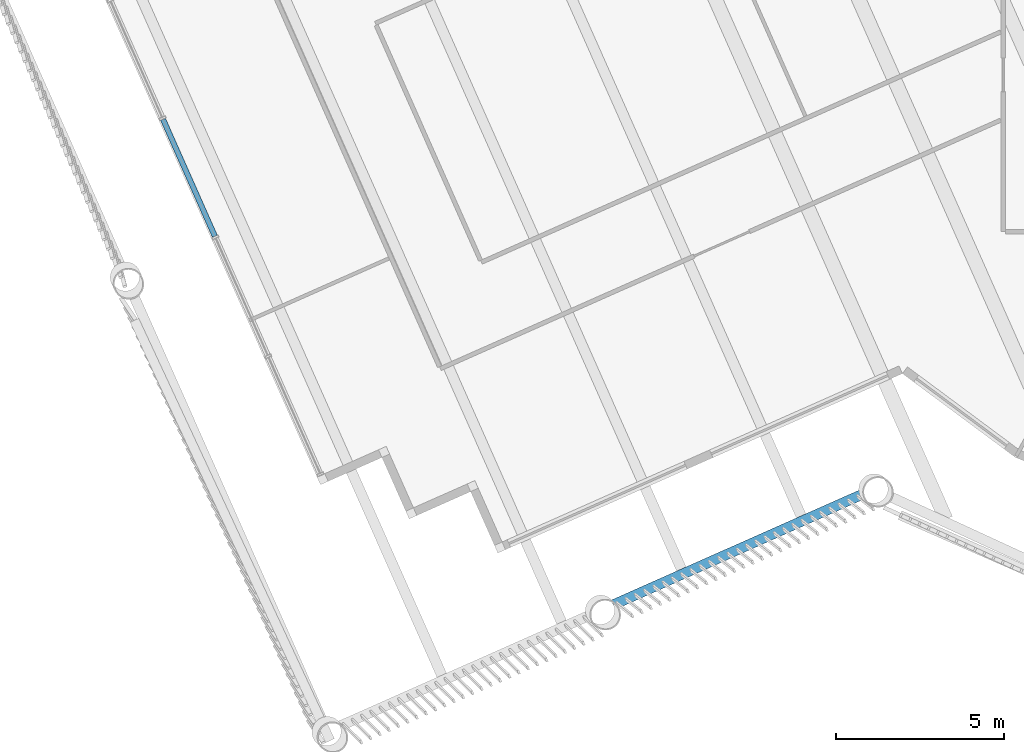
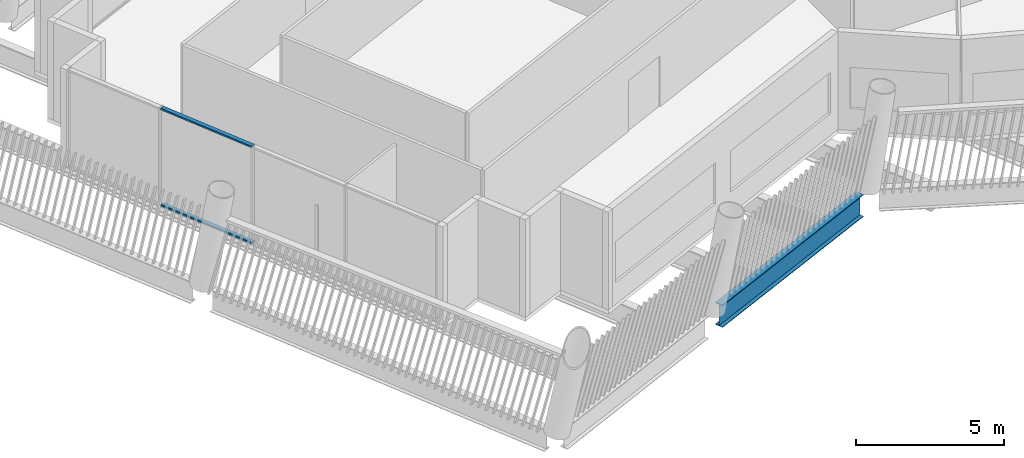
# One storey, part 3 of 28: 2 members, 1 beam, 1 element without a shape of its own.
"""IFC4 building model written with IfcOpenShell, lengths in metres."""

import ifcopenshell
import ifcopenshell.guid

model = None  # the IFC model being written
_history = None  # IfcOwnerHistory: only IFC2X3 demands one
_inside = {}  # id of a spatial element -> (the spatial element, [elements in it])
_under = {}  # id of a project, library or spatial element -> (it, [spatial elements below it])
_declared = {}  # id of a project -> (the project, [libraries it declares])
_typed = {}  # id of a type object -> (the type object, [elements of that type])
_made_of = {}  # id of a material, layer set ... -> (it, [elements and type objects made of it])


def new_model(schema):
    """Start an empty IFC model of exactly this schema.

    Asked for "IFC4X3", IfcOpenShell would pick the latest addendum, in which some entities
    have other attributes; the version numbers below select the first issue.
    IFC2X3 requires an IfcOwnerHistory on every rooted entity: one is made here for all.
    """
    global model, _history
    if schema == "IFC4X3":
        model = ifcopenshell.file(schema_version=(4, 3, 0, 0))
    else:
        model = ifcopenshell.file(schema=schema)
    _inside.clear()
    _under.clear()
    _declared.clear()
    _typed.clear()
    _made_of.clear()
    _history = None
    if model.schema == "IFC2X3":
        org = make("IfcOrganization", Name="unknown")
        user = make(
            "IfcPersonAndOrganization",
            ThePerson=make("IfcPerson", FamilyName="unknown"),
            TheOrganization=org,
        )
        app = make(
            "IfcApplication",
            ApplicationDeveloper=org,
            Version="unknown",
            ApplicationFullName="unknown",
            ApplicationIdentifier="unknown",
        )
        _history = make(
            "IfcOwnerHistory",
            OwningUser=user,
            OwningApplication=app,
            ChangeAction="ADDED",
            CreationDate=0,
        )
    return model


def make(cls, **values):
    """One entity of the class cls with the attributes given. An attribute that is None is left unset."""
    return model.create_entity(
        cls, **{name: value for name, value in values.items() if value is not None}
    )


def rooted(cls, **values):
    """An entity with a GlobalId (a new one), such as an element, a storey or a relation."""
    return make(cls, GlobalId=ifcopenshell.guid.new(), OwnerHistory=_history, **values)


def si_unit(unit_type, name, prefix=None):
    """IfcSIUnit, for example si_unit("LENGTHUNIT", "METRE", prefix="MILLI")."""
    return make("IfcSIUnit", UnitType=unit_type, Prefix=prefix, Name=name)


def assignment(units):
    """IfcUnitAssignment: the units of a project."""
    return None if units is None else make("IfcUnitAssignment", Units=units)


def point(xyz):
    """IfcCartesianPoint."""
    return None if xyz is None else make("IfcCartesianPoint", Coordinates=xyz)


def direction(xyz):
    """IfcDirection."""
    return None if xyz is None else make("IfcDirection", DirectionRatios=xyz)


def frame(location, z_axis=None, x_axis=None):
    """IfcAxis2Placement3D, a coordinate frame: its origin and axes. An axis left out is left unset."""
    return make(
        "IfcAxis2Placement3D",
        Location=point(location),
        Axis=direction(z_axis),
        RefDirection=direction(x_axis),
    )


def frame_2d(location, x_axis=None):
    """IfcAxis2Placement2D, a coordinate frame in the plane: its origin and x axis."""
    return make(
        "IfcAxis2Placement2D", Location=point(location), RefDirection=direction(x_axis)
    )


def origin():
    """The frame at (0, 0, 0) with its axes left unset."""
    return frame((0.0, 0.0, 0.0))


def origin_2d():
    """The frame at (0, 0) in the plane with its x axis left unset."""
    return frame_2d((0.0, 0.0))


def place(relative_to, where):
    """IfcLocalPlacement: puts the frame where relative to a parent placement (None: the world)."""
    return make(
        "IfcLocalPlacement", PlacementRelTo=relative_to, RelativePlacement=where
    )


def context(
    kind, dimensions, precision=None, world=None, true_north=None, identifier=None
):
    """IfcGeometricRepresentationContext, for example the 3D "Model" context."""
    return make(
        "IfcGeometricRepresentationContext",
        ContextIdentifier=identifier,
        ContextType=kind,
        CoordinateSpaceDimension=dimensions,
        Precision=precision,
        WorldCoordinateSystem=world,
        TrueNorth=true_north,
    )


def subcontext(parent, identifier, kind, view, scale=None):
    """IfcGeometricRepresentationSubContext, for example "Body" below "Model"."""
    return make(
        "IfcGeometricRepresentationSubContext",
        ContextIdentifier=identifier,
        ContextType=kind,
        ParentContext=parent,
        TargetScale=scale,
        TargetView=view,
    )


def project(units=None, contexts=None):
    """IfcProject with its units and contexts."""
    return rooted(
        "IfcProject",
        Name="project",
        RepresentationContexts=contexts,
        UnitsInContext=assignment(units),
    )


def spatial(cls, under=None, at=None, **own):
    """A site, building, storey or space (cls), placed at a placement, below another one or the project."""
    s = rooted(cls, ObjectPlacement=at, **own)
    if under is not None:
        _under.setdefault(under.id(), (under, []))[1].append(s)
    return s


def profile(cls, at=None, kind="AREA", **sizes):
    """A parametric profile (cls). Its sizes go by their IFC names, for example OverallWidth=200.0."""
    return make(cls, ProfileType=kind, Position=at, **sizes)


def hollow_rectangle(**sizes):
    """IfcRectangleHollowProfileDef."""
    return profile("IfcRectangleHollowProfileDef", **sizes)


def i_section(**sizes):
    """IfcIShapeProfileDef."""
    return profile("IfcIShapeProfileDef", **sizes)


def extrude(swept, where, along, depth):
    """IfcExtrudedAreaSolid: the profile swept, set in the frame where, extruded along a direction by depth."""
    return make(
        "IfcExtrudedAreaSolid",
        SweptArea=swept,
        Position=where,
        ExtrudedDirection=direction(along),
        Depth=depth,
    )


def shape(context_of_items, identifier, shape_type, items):
    """IfcShapeRepresentation: the items that make up one representation, for example the "Body"."""
    return make(
        "IfcShapeRepresentation",
        ContextOfItems=context_of_items,
        RepresentationIdentifier=identifier,
        RepresentationType=shape_type,
        Items=items,
    )


def material(Name=None, Category=None):
    """IfcMaterial."""
    return make("IfcMaterial", Name=Name, Category=Category)


def layer(
    of_material, thickness, ventilated=None, Name=None, Category=None, Priority=None
):
    """IfcMaterialLayer: one layer of a wall or slab, of a material (None: an air gap)."""
    return make(
        "IfcMaterialLayer",
        Material=of_material,
        LayerThickness=thickness,
        IsVentilated=ventilated,
        Name=Name,
        Category=Category,
        Priority=Priority,
    )


def layer_set(layers, Name=None):
    """IfcMaterialLayerSet."""
    return make("IfcMaterialLayerSet", MaterialLayers=layers, LayerSetName=Name)


def material_profile(
    of_material, cross_section, Name=None, Category=None, Priority=None
):
    """IfcMaterialProfile: a cross section and its material."""
    return make(
        "IfcMaterialProfile",
        Name=Name,
        Material=of_material,
        Profile=cross_section,
        Priority=Priority,
        Category=Category,
    )


def profile_set(profiles, Name=None, composite=None):
    """IfcMaterialProfileSet."""
    return make(
        "IfcMaterialProfileSet",
        Name=Name,
        MaterialProfiles=profiles,
        CompositeProfile=composite,
    )


def made_of(thing, what):
    """Note that an element or type object is made of a material, layer set ...; save() writes the relation."""
    if what is not None:
        _made_of.setdefault(what.id(), (what, []))[1].append(thing)
    return thing


def type_object(cls, material=None, **own):
    """A type object (cls), such as IfcWallType, which elements share."""
    return made_of(rooted(cls, **own), material)


def element(
    cls,
    number,
    at=None,
    inside=None,
    cuts=None,
    type_object=None,
    material=None,
    context=None,
    identifier="Body",
    shape_type=None,
    held_by="IfcProductDefinitionShape",
    body=None,
    shapes=None,
    **own,
):
    """One element of the class cls, such as IfcWall. Its Tag is "e" and its number.

    at: its placement. inside: the storey or other place that contains it. cuts: it is an
    opening in that element (IfcRelVoidsElement). A single representation is given by context,
    identifier, shape_type and body (its items); several are given by shapes. held_by: the class
    of the entity that holds the representations. save() writes the other relations.
    """
    e = rooted(cls, Tag="e%d" % number, ObjectPlacement=at, **own)
    if body is not None:
        shapes = [shape(context, identifier, shape_type, body)]
    if shapes is not None:
        e.Representation = make(held_by, Representations=shapes)
    if inside is not None:
        _inside.setdefault(inside.id(), (inside, []))[1].append(e)
    if cuts is not None:
        rooted(
            "IfcRelVoidsElement", RelatingBuildingElement=cuts, RelatedOpeningElement=e
        )
    if type_object is not None:
        _typed.setdefault(type_object.id(), (type_object, []))[1].append(e)
    return made_of(e, material)


def aggregate(whole, parts):
    """IfcRelAggregates: a whole, such as a stair, and the parts it consists of."""
    return rooted("IfcRelAggregates", RelatingObject=whole, RelatedObjects=parts)


def save(model, path):
    """Write the relations noted so far, then the file.

    IfcRelAggregates (storeys below a building ...), IfcRelContainedInSpatialStructure (elements
    in a storey), IfcRelDefinesByType, IfcRelAssociatesMaterial and IfcRelDeclares: one each for
    every whole, place, type object, material and project.
    """
    for whole, parts in _under.values():
        aggregate(whole, parts)
    for where, things in _inside.values():
        rooted(
            "IfcRelContainedInSpatialStructure",
            RelatedElements=things,
            RelatingStructure=where,
        )
    for kind, things in _typed.values():
        rooted("IfcRelDefinesByType", RelatedObjects=things, RelatingType=kind)
    for what, things in _made_of.values():
        rooted("IfcRelAssociatesMaterial", RelatedObjects=things, RelatingMaterial=what)
    for by, libraries in _declared.values():
        rooted("IfcRelDeclares", RelatingContext=by, RelatedDefinitions=libraries)
    model.write(path)


model = new_model("IFC4")

# Units and contexts
model_context = context("Model", 3, precision=1e-05, world=origin(), true_north=direction((0.0, 1.0)))
body_context = subcontext(model_context, "Body", "Model", "MODEL_VIEW")
ifc_project = project(units=[si_unit("LENGTHUNIT", "METRE"), si_unit("AREAUNIT", "SQUARE_METRE"), si_unit("VOLUMEUNIT", "CUBIC_METRE"), si_unit("PLANEANGLEUNIT", "RADIAN"), si_unit("MASSUNIT", "GRAM", prefix="KILO")], contexts=[model_context])

# Site, building, storey
site_placement = place(None, origin())
site = spatial("IfcSite", under=ifc_project, at=site_placement, CompositionType="ELEMENT")
building_placement = place(site_placement, origin())
building = spatial("IfcBuilding", under=site, at=building_placement, Name="Tarsis Ring Headquarters", CompositionType="ELEMENT")
storey_placement = place(building_placement, frame((0.0, 0.0, 381.800048828125)))
storey = spatial("IfcBuildingStorey", under=building, at=storey_placement, Name="L90", CompositionType="ELEMENT", Elevation=381.800048828125)

# Curtain wall, members
ifc_material_1 = material(Name="Aluminium curtain wall", Category="aluminium")
ifc_layer = layer(ifc_material_1, 0.199951171875)
ifc_layer_set = layer_set([ifc_layer], Name="Curtain wall executive tip")
curtain_wall_type = type_object("IfcCurtainWallType", Name="Curtain wall executive tip", PredefinedType="NOTDEFINED", material=ifc_layer_set)
curtain_wall_placement = place(storey_placement, origin())
curtain_wall = element("IfcCurtainWall", 1, at=curtain_wall_placement, inside=storey, type_object=curtain_wall_type, Name="Curtain wall L90-36", PredefinedType="NOTDEFINED")
ifc_material_2 = material(Name="Aluminium transom", Category="aluminium")
ifc_material_profile_1 = material_profile(ifc_material_2, hollow_rectangle(XDim=0.159912109375, YDim=0.070068359375, WallThickness=0.0048828125, at=origin_2d()), Name="RHS 160x70x5")
ifc_profile_set_1 = profile_set([ifc_material_profile_1], Name="Aluminium transom")
member_type = type_object("IfcMemberType", Name="Curtain wall transom executive tip RHS 160x70x5", PredefinedType="USERDEFINED", material=ifc_profile_set_1)
member_1_placement = place(storey_placement, frame((-38.00732421875, -12.657470703125, 0.034912109375), z_axis=(0.405495435929, -0.914097068938, 0.0), x_axis=(0.914097068938, 0.405495435929, 0.0)))
member_1 = element("IfcMember", 2, at=member_1_placement, type_object=member_type, Name="CW-E transom 2.1", ObjectType="TRANSOM", PredefinedType="USERDEFINED", context=body_context, shape_type="SweptSolid", body=[
    extrude(hollow_rectangle(XDim=0.159912109375, YDim=0.070068359375, WallThickness=0.0048828125, at=origin_2d()), origin(), (0.0, 0.0, 1.0), 3.80517578125),
])
member_2_placement = place(storey_placement, frame((-38.00732421875, -12.657470703125, 4.0048828125), z_axis=(0.405495435929, -0.914097068938, 0.0), x_axis=(0.914097068938, 0.405495435929, 0.0)))
member_2 = element("IfcMember", 3, at=member_2_placement, type_object=member_type, Name="CW-E transom 2.2", ObjectType="TRANSOM", PredefinedType="USERDEFINED", context=body_context, shape_type="SweptSolid", body=[
    extrude(hollow_rectangle(XDim=0.159912109375, YDim=0.070068359375, WallThickness=0.0048828125, at=origin_2d()), origin(), (0.0, 0.0, 1.0), 3.80517578125),
])
aggregate(curtain_wall, [member_1, member_2])

# Beam
ifc_material_3 = material(Name="Structural steel S355", Category="steel")
ifc_material_profile_2 = material_profile(ifc_material_3, i_section(OverallWidth=0.3046875, OverallDepth=0.91943359375, WebThickness=0.017333984375, FlangeThickness=0.02783203125, at=origin_2d()), Name="W36x170")
ifc_profile_set_2 = profile_set([ifc_material_profile_2], Name="Structural steel S355")
beam_type = type_object("IfcBeamType", Name="XG Ring girder W36x170", PredefinedType="BEAM", material=ifc_profile_set_2)
beam_placement = place(storey_placement, frame((-24.609375, -27.106201171875, -0.459716796875), z_axis=(0.914107881856, 0.405471059793, 0.0), x_axis=(-0.405471059793, 0.914107881856, 0.0)))
element("IfcBeam", 4, at=beam_placement, inside=storey, type_object=beam_type, Name="Ring girder XG4", PredefinedType="BEAM", context=body_context, shape_type="SweptSolid", body=[
    extrude(i_section(OverallWidth=0.3046875, OverallDepth=0.91943359375, WebThickness=0.017333984375, FlangeThickness=0.02783203125, at=origin_2d()), origin(), (0.0, 0.0, 1.0), 8.0791015625),
])

save(model, "model.ifc")
